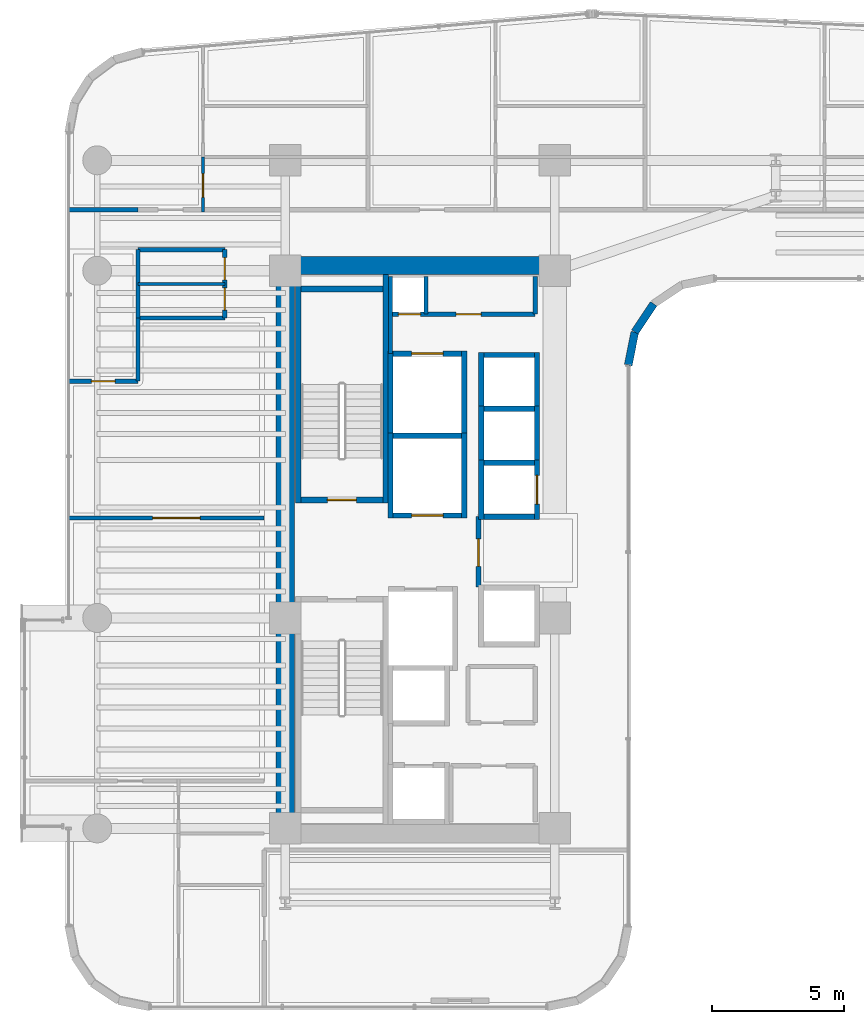
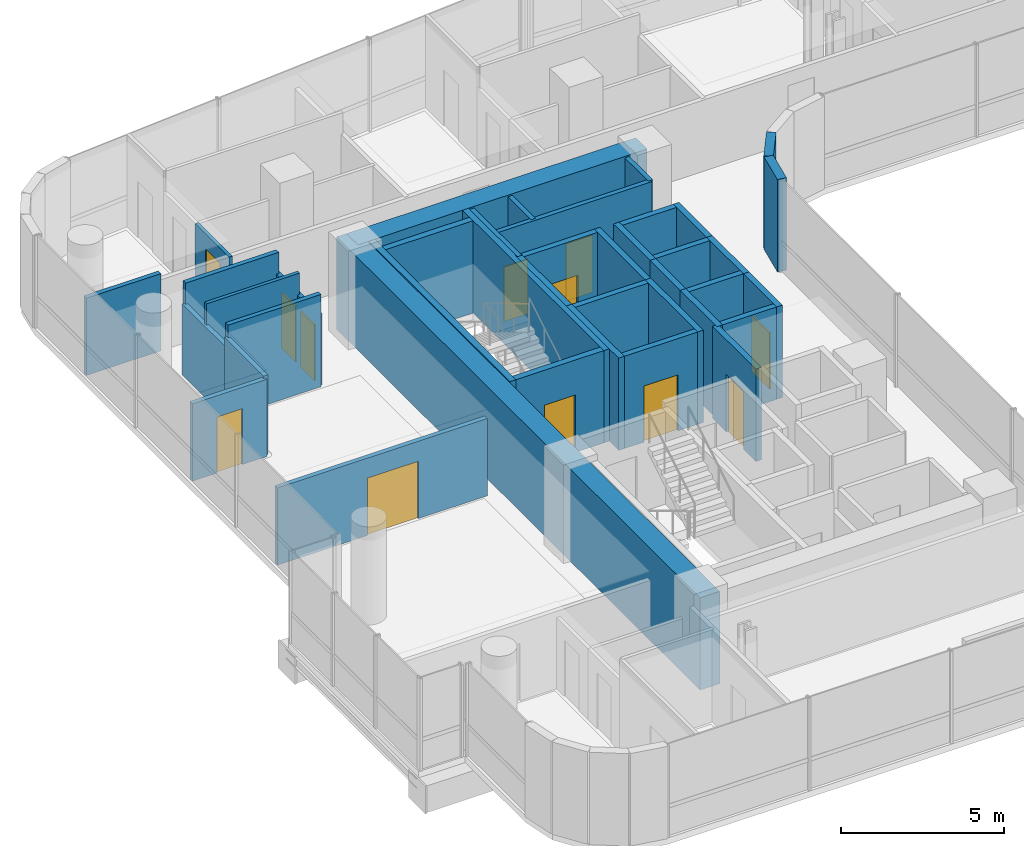
# One storey, part 29 of 37: 40 walls, 12 doors, 12 openings.
"""IFC4 building model written with IfcOpenShell, lengths in metres."""

import ifcopenshell
import ifcopenshell.guid

model = None  # the IFC model being written
_history = None  # IfcOwnerHistory: only IFC2X3 demands one
_inside = {}  # id of a spatial element -> (the spatial element, [elements in it])
_under = {}  # id of a project, library or spatial element -> (it, [spatial elements below it])
_declared = {}  # id of a project -> (the project, [libraries it declares])
_typed = {}  # id of a type object -> (the type object, [elements of that type])
_made_of = {}  # id of a material, layer set ... -> (it, [elements and type objects made of it])


def new_model(schema):
    """Start an empty IFC model of exactly this schema.

    Asked for "IFC4X3", IfcOpenShell would pick the latest addendum, in which some entities
    have other attributes; the version numbers below select the first issue.
    IFC2X3 requires an IfcOwnerHistory on every rooted entity: one is made here for all.
    """
    global model, _history
    if schema == "IFC4X3":
        model = ifcopenshell.file(schema_version=(4, 3, 0, 0))
    else:
        model = ifcopenshell.file(schema=schema)
    _inside.clear()
    _under.clear()
    _declared.clear()
    _typed.clear()
    _made_of.clear()
    _history = None
    if model.schema == "IFC2X3":
        org = make("IfcOrganization", Name="unknown")
        user = make(
            "IfcPersonAndOrganization",
            ThePerson=make("IfcPerson", FamilyName="unknown"),
            TheOrganization=org,
        )
        app = make(
            "IfcApplication",
            ApplicationDeveloper=org,
            Version="unknown",
            ApplicationFullName="unknown",
            ApplicationIdentifier="unknown",
        )
        _history = make(
            "IfcOwnerHistory",
            OwningUser=user,
            OwningApplication=app,
            ChangeAction="ADDED",
            CreationDate=0,
        )
    return model


def make(cls, **values):
    """One entity of the class cls with the attributes given. An attribute that is None is left unset."""
    return model.create_entity(
        cls, **{name: value for name, value in values.items() if value is not None}
    )


def rooted(cls, **values):
    """An entity with a GlobalId (a new one), such as an element, a storey or a relation."""
    return make(cls, GlobalId=ifcopenshell.guid.new(), OwnerHistory=_history, **values)


def si_unit(unit_type, name, prefix=None):
    """IfcSIUnit, for example si_unit("LENGTHUNIT", "METRE", prefix="MILLI")."""
    return make("IfcSIUnit", UnitType=unit_type, Prefix=prefix, Name=name)


def assignment(units):
    """IfcUnitAssignment: the units of a project."""
    return None if units is None else make("IfcUnitAssignment", Units=units)


def point(xyz):
    """IfcCartesianPoint."""
    return None if xyz is None else make("IfcCartesianPoint", Coordinates=xyz)


def direction(xyz):
    """IfcDirection."""
    return None if xyz is None else make("IfcDirection", DirectionRatios=xyz)


def frame(location, z_axis=None, x_axis=None):
    """IfcAxis2Placement3D, a coordinate frame: its origin and axes. An axis left out is left unset."""
    return make(
        "IfcAxis2Placement3D",
        Location=point(location),
        Axis=direction(z_axis),
        RefDirection=direction(x_axis),
    )


def frame_2d(location, x_axis=None):
    """IfcAxis2Placement2D, a coordinate frame in the plane: its origin and x axis."""
    return make(
        "IfcAxis2Placement2D", Location=point(location), RefDirection=direction(x_axis)
    )


def origin():
    """The frame at (0, 0, 0) with its axes left unset."""
    return frame((0.0, 0.0, 0.0))


def place(relative_to, where):
    """IfcLocalPlacement: puts the frame where relative to a parent placement (None: the world)."""
    return make(
        "IfcLocalPlacement", PlacementRelTo=relative_to, RelativePlacement=where
    )


def context(
    kind, dimensions, precision=None, world=None, true_north=None, identifier=None
):
    """IfcGeometricRepresentationContext, for example the 3D "Model" context."""
    return make(
        "IfcGeometricRepresentationContext",
        ContextIdentifier=identifier,
        ContextType=kind,
        CoordinateSpaceDimension=dimensions,
        Precision=precision,
        WorldCoordinateSystem=world,
        TrueNorth=true_north,
    )


def subcontext(parent, identifier, kind, view, scale=None):
    """IfcGeometricRepresentationSubContext, for example "Body" below "Model"."""
    return make(
        "IfcGeometricRepresentationSubContext",
        ContextIdentifier=identifier,
        ContextType=kind,
        ParentContext=parent,
        TargetScale=scale,
        TargetView=view,
    )


def project(units=None, contexts=None):
    """IfcProject with its units and contexts."""
    return rooted(
        "IfcProject",
        Name="project",
        RepresentationContexts=contexts,
        UnitsInContext=assignment(units),
    )


def spatial(cls, under=None, at=None, **own):
    """A site, building, storey or space (cls), placed at a placement, below another one or the project."""
    s = rooted(cls, ObjectPlacement=at, **own)
    if under is not None:
        _under.setdefault(under.id(), (under, []))[1].append(s)
    return s


def profile(cls, at=None, kind="AREA", **sizes):
    """A parametric profile (cls). Its sizes go by their IFC names, for example OverallWidth=200.0."""
    return make(cls, ProfileType=kind, Position=at, **sizes)


def rectangle(**sizes):
    """IfcRectangleProfileDef."""
    return profile("IfcRectangleProfileDef", **sizes)


def extrude(swept, where, along, depth):
    """IfcExtrudedAreaSolid: the profile swept, set in the frame where, extruded along a direction by depth."""
    return make(
        "IfcExtrudedAreaSolid",
        SweptArea=swept,
        Position=where,
        ExtrudedDirection=direction(along),
        Depth=depth,
    )


def shape(context_of_items, identifier, shape_type, items):
    """IfcShapeRepresentation: the items that make up one representation, for example the "Body"."""
    return make(
        "IfcShapeRepresentation",
        ContextOfItems=context_of_items,
        RepresentationIdentifier=identifier,
        RepresentationType=shape_type,
        Items=items,
    )


def material(Name=None, Category=None):
    """IfcMaterial."""
    return make("IfcMaterial", Name=Name, Category=Category)


def layer(
    of_material, thickness, ventilated=None, Name=None, Category=None, Priority=None
):
    """IfcMaterialLayer: one layer of a wall or slab, of a material (None: an air gap)."""
    return make(
        "IfcMaterialLayer",
        Material=of_material,
        LayerThickness=thickness,
        IsVentilated=ventilated,
        Name=Name,
        Category=Category,
        Priority=Priority,
    )


def layer_set(layers, Name=None):
    """IfcMaterialLayerSet."""
    return make("IfcMaterialLayerSet", MaterialLayers=layers, LayerSetName=Name)


def made_of(thing, what):
    """Note that an element or type object is made of a material, layer set ...; save() writes the relation."""
    if what is not None:
        _made_of.setdefault(what.id(), (what, []))[1].append(thing)
    return thing


def type_object(cls, material=None, **own):
    """A type object (cls), such as IfcWallType, which elements share."""
    return made_of(rooted(cls, **own), material)


def element(
    cls,
    number,
    at=None,
    inside=None,
    cuts=None,
    type_object=None,
    material=None,
    context=None,
    identifier="Body",
    shape_type=None,
    held_by="IfcProductDefinitionShape",
    body=None,
    shapes=None,
    **own,
):
    """One element of the class cls, such as IfcWall. Its Tag is "e" and its number.

    at: its placement. inside: the storey or other place that contains it. cuts: it is an
    opening in that element (IfcRelVoidsElement). A single representation is given by context,
    identifier, shape_type and body (its items); several are given by shapes. held_by: the class
    of the entity that holds the representations. save() writes the other relations.
    """
    e = rooted(cls, Tag="e%d" % number, ObjectPlacement=at, **own)
    if body is not None:
        shapes = [shape(context, identifier, shape_type, body)]
    if shapes is not None:
        e.Representation = make(held_by, Representations=shapes)
    if inside is not None:
        _inside.setdefault(inside.id(), (inside, []))[1].append(e)
    if cuts is not None:
        rooted(
            "IfcRelVoidsElement", RelatingBuildingElement=cuts, RelatedOpeningElement=e
        )
    if type_object is not None:
        _typed.setdefault(type_object.id(), (type_object, []))[1].append(e)
    return made_of(e, material)


def fill(opening, filler):
    """IfcRelFillsElement: the door or window that sits in an opening."""
    return rooted(
        "IfcRelFillsElement",
        RelatingOpeningElement=opening,
        RelatedBuildingElement=filler,
    )


def aggregate(whole, parts):
    """IfcRelAggregates: a whole, such as a stair, and the parts it consists of."""
    return rooted("IfcRelAggregates", RelatingObject=whole, RelatedObjects=parts)


def save(model, path):
    """Write the relations noted so far, then the file.

    IfcRelAggregates (storeys below a building ...), IfcRelContainedInSpatialStructure (elements
    in a storey), IfcRelDefinesByType, IfcRelAssociatesMaterial and IfcRelDeclares: one each for
    every whole, place, type object, material and project.
    """
    for whole, parts in _under.values():
        aggregate(whole, parts)
    for where, things in _inside.values():
        rooted(
            "IfcRelContainedInSpatialStructure",
            RelatedElements=things,
            RelatingStructure=where,
        )
    for kind, things in _typed.values():
        rooted("IfcRelDefinesByType", RelatedObjects=things, RelatingType=kind)
    for what, things in _made_of.values():
        rooted("IfcRelAssociatesMaterial", RelatedObjects=things, RelatingMaterial=what)
    for by, libraries in _declared.values():
        rooted("IfcRelDeclares", RelatingContext=by, RelatedDefinitions=libraries)
    model.write(path)


model = new_model("IFC4")

# Units and contexts
model_context = context("Model", 3, precision=1e-05, world=origin(), true_north=direction((0.0, 1.0)))
body_context = subcontext(model_context, "Body", "Model", "MODEL_VIEW")
ifc_project = project(units=[si_unit("LENGTHUNIT", "METRE"), si_unit("AREAUNIT", "SQUARE_METRE"), si_unit("VOLUMEUNIT", "CUBIC_METRE"), si_unit("PLANEANGLEUNIT", "RADIAN"), si_unit("MASSUNIT", "GRAM", prefix="KILO")], contexts=[model_context])

# Site, building, storey
site_placement = place(None, origin())
site = spatial("IfcSite", under=ifc_project, at=site_placement, CompositionType="ELEMENT")
building_placement = place(site_placement, origin())
building = spatial("IfcBuilding", under=site, at=building_placement, Name="Valdorenza Pilgrim Sanctuary Tower", CompositionType="ELEMENT")
storey_placement = place(building_placement, frame((0.0, 0.0, 127.89990234375)))
storey = spatial("IfcBuildingStorey", under=building, at=storey_placement, Name="L32", CompositionType="ELEMENT", Elevation=127.89990234375)

# Wall
ifc_material_1 = material(Name="Acoustic twin-stud gypsum partition", Category="gypsum")
ifc_layer_1 = layer(ifc_material_1, 0.159912109375, Name="Acoustic twin-stud gypsum partition")
ifc_layer_set_1 = layer_set([ifc_layer_1], Name="Acoustic twin-stud gypsum partition")
wall_type_1 = type_object("IfcWallType", Name="WAL-COR-160", PredefinedType="PARTITIONING", material=ifc_layer_set_1)
wall_1_placement = place(storey_placement, frame((-18.64990234375, 7.449951171875, 0.0), z_axis=(0.0, 0.0, 1.0), x_axis=(0.0, 1.0, 0.0)))
element("IfcWall", 1, at=wall_1_placement, inside=storey, type_object=wall_type_1, Name="L32 Core A North Service West Wall", PredefinedType="PARTITIONING", context=body_context, shape_type="SweptSolid", body=[
    extrude(rectangle(XDim=2.929931640625, YDim=0.159912109375, at=frame_2d((1.46484375, 0.0))), origin(), (0.0, 0.0, 1.0), 3.460205078125),
])

# Wall, openings, doors
wall_2_placement = place(storey_placement, frame((-18.64990234375, 8.949951171875, 0.0), z_axis=(0.0, 0.0, 1.0), x_axis=(1.0, 0.0, 0.0)))
wall_2 = element("IfcWall", 2, at=wall_2_placement, inside=storey, type_object=wall_type_1, Name="L32 Core A North Service South Wall", PredefinedType="PARTITIONING", context=body_context, shape_type="SweptSolid", body=[
    extrude(rectangle(XDim=5.5, YDim=0.159912109375, at=frame_2d((2.75, 0.0))), origin(), (0.0, 0.0, 1.0), 3.460205078125),
])
opening_1_placement = place(wall_2_placement, frame((0.300048828125, 0.0, 0.0)))
opening_1 = element("IfcOpeningElement", 3, at=opening_1_placement, cuts=wall_2, Name="Opening DR-RS1", PredefinedType="OPENING", context=body_context, shape_type="SweptSolid", body=[
    extrude(rectangle(XDim=0.85009765625, YDim=2.050048828125, at=frame_2d((0.425048828125, 1.02490234375))), frame((0.0, 0.0947265625, 0.0), z_axis=(0.0, -1.0, 0.0), x_axis=(1.0, 0.0, 0.0)), (0.0, 0.0, 1.0), 0.189697265625),
])
opening_2_placement = place(wall_2_placement, frame((2.5, 0.0, 0.0)))
opening_2 = element("IfcOpeningElement", 4, at=opening_2_placement, cuts=wall_2, Name="Opening DR-UN1", PredefinedType="OPENING", context=body_context, shape_type="SweptSolid", body=[
    extrude(rectangle(XDim=0.949951171875, YDim=2.14990234375, at=frame_2d((0.47509765625, 1.074951171875))), frame((0.0, 0.0947265625, 0.0), z_axis=(0.0, -1.0, 0.0), x_axis=(1.0, 0.0, 0.0)), (0.0, 0.0, 1.0), 0.189697265625),
])
ifc_material_2 = material(Name="Painted galvanized steel", Category="steel")
door_type_1 = type_object("IfcDoorType", Name="DR-RSR-850", OperationType="NOTDEFINED", PredefinedType="DOOR", material=ifc_material_2)
door_1_placement = place(opening_1_placement, origin())
door_1 = element("IfcDoor", 5, at=door_1_placement, inside=storey, type_object=door_type_1, Name="L32 Core Electrical and Telecom Riser Door", OperationType="SINGLE_SWING_LEFT", OverallHeight=2.050048828125, OverallWidth=0.85009765625, PredefinedType="DOOR", context=body_context, shape_type="SweptSolid", body=[
    extrude(rectangle(XDim=0.85009765625, YDim=2.050048828125, at=frame_2d((0.425048828125, 1.02490234375))), frame((0.0, 0.02490234375, 0.0), z_axis=(0.0, -1.0, 0.0), x_axis=(1.0, 0.0, 0.0)), (0.0, 0.0, 1.0), 0.050048828125),
])
fill(opening_1, door_1)
ifc_material_3 = material(Name="Solid-core European oak timber", Category="wood")
door_type_2 = type_object("IfcDoorType", Name="DR-UNIT-950", OperationType="NOTDEFINED", PredefinedType="DOOR", material=ifc_material_3)
door_2_placement = place(opening_2_placement, origin())
door_2 = element("IfcDoor", 6, at=door_2_placement, inside=storey, type_object=door_type_2, Name="L32 Housekeeping and Clean Linen Room Door", OperationType="SINGLE_SWING_RIGHT", OverallHeight=2.14990234375, OverallWidth=0.949951171875, PredefinedType="DOOR", context=body_context, shape_type="SweptSolid", body=[
    extrude(rectangle(XDim=0.949951171875, YDim=2.14990234375, at=frame_2d((0.47509765625, 1.074951171875))), frame((0.0, 0.02490234375, 0.0), z_axis=(0.0, -1.0, 0.0), x_axis=(1.0, 0.0, 0.0)), (0.0, 0.0, 1.0), 0.050048828125),
])
fill(opening_2, door_2)

# Walls
for number, where, z_axis, x_axis, name in (
    (7, (-13.14990234375, 8.949951171875, 0.0), (0.0, 0.0, 1.0), (0.0, 1.0, 0.0), "L32 Core A North Service East Wall"),
    (8, (-17.300048828125, 8.949951171875, 0.0), (0.0, 0.0, 1.0), (0.0, 1.0, 0.0), "L32 Core Electrical Riser Wall"),
):
    element("IfcWall", number, at=place(storey_placement, frame(where, z_axis=z_axis, x_axis=x_axis)), inside=storey, type_object=wall_type_1, Name=name, PredefinedType="PARTITIONING", context=body_context, shape_type="SweptSolid", body=[
        extrude(rectangle(XDim=1.429931640625, YDim=0.159912109375, at=frame_2d((0.71484375, 0.0))), origin(), (0.0, 0.0, 1.0), 3.460205078125),
    ])
wall_3_placement = place(storey_placement, frame((-28.25, 8.800048828125, 0.0), z_axis=(0.0, 0.0, 1.0), x_axis=(0.0, 1.0, 0.0)))
element("IfcWall", 9, at=wall_3_placement, inside=storey, type_object=wall_type_1, Name="L32 Washroom West Wall", PredefinedType="PARTITIONING", context=body_context, shape_type="SweptSolid", body=[
    extrude(rectangle(XDim=2.599853515625, YDim=0.159912109375, at=frame_2d((1.2998046875, 0.0))), origin(), (0.0, 0.0, 1.0), 2.666015625),
])

# Wall, openings, doors
wall_4_placement = place(storey_placement, frame((-24.949951171875, 8.800048828125, 0.0), z_axis=(0.0, 0.0, 1.0), x_axis=(0.0, 1.0, 0.0)))
wall_4 = element("IfcWall", 10, at=wall_4_placement, inside=storey, type_object=wall_type_1, Name="L32 Washroom East Wall", PredefinedType="PARTITIONING", context=body_context, shape_type="SweptSolid", body=[
    extrude(rectangle(XDim=2.599853515625, YDim=0.159912109375, at=frame_2d((1.2998046875, 0.0))), origin(), (0.0, 0.0, 1.0), 2.666015625),
])
opening_3_placement = place(wall_4_placement, frame((0.300048828125, 0.0, 0.0)))
opening_3 = element("IfcOpeningElement", 11, at=opening_3_placement, cuts=wall_4, Name="Opening DR-WC1", PredefinedType="OPENING", context=body_context, shape_type="SweptSolid", body=[
    extrude(rectangle(XDim=0.85009765625, YDim=2.10009765625, at=frame_2d((0.425048828125, 1.050048828125))), frame((0.0, 0.0947265625, 0.0), z_axis=(0.0, -1.0, 0.0), x_axis=(1.0, 0.0, 0.0)), (0.0, 0.0, 1.0), 0.189697265625),
])
opening_4_placement = place(wall_4_placement, frame((1.449951171875, 0.0, 0.0)))
opening_4 = element("IfcOpeningElement", 12, at=opening_4_placement, cuts=wall_4, Name="Opening DR-WC1", PredefinedType="OPENING", context=body_context, shape_type="SweptSolid", body=[
    extrude(rectangle(XDim=0.85009765625, YDim=2.10009765625, at=frame_2d((0.425048828125, 1.050048828125))), frame((0.0, 0.0947265625, 0.0), z_axis=(0.0, -1.0, 0.0), x_axis=(1.0, 0.0, 0.0)), (0.0, 0.0, 1.0), 0.189697265625),
])
ifc_material_4 = material(Name="Moisture-resistant lacquered timber", Category="wood")
door_type_3 = type_object("IfcDoorType", Name="DR-BATH-850", OperationType="NOTDEFINED", PredefinedType="DOOR", material=ifc_material_4)
door_3_placement = place(opening_3_placement, origin())
door_3 = element("IfcDoor", 13, at=door_3_placement, inside=storey, type_object=door_type_3, Name="L32 Accessible Washroom Door", OperationType="SINGLE_SWING_RIGHT", OverallHeight=2.10009765625, OverallWidth=0.85009765625, PredefinedType="DOOR", context=body_context, shape_type="SweptSolid", body=[
    extrude(rectangle(XDim=0.85009765625, YDim=2.10009765625, at=frame_2d((0.425048828125, 1.050048828125))), frame((0.0, 0.02490234375, 0.0), z_axis=(0.0, -1.0, 0.0), x_axis=(1.0, 0.0, 0.0)), (0.0, 0.0, 1.0), 0.050048828125),
])
fill(opening_3, door_3)
door_4_placement = place(opening_4_placement, origin())
door_4 = element("IfcDoor", 14, at=door_4_placement, inside=storey, type_object=door_type_3, Name="L32 Public Washroom Door", OperationType="SINGLE_SWING_LEFT", OverallHeight=2.10009765625, OverallWidth=0.85009765625, PredefinedType="DOOR", context=body_context, shape_type="SweptSolid", body=[
    extrude(rectangle(XDim=0.85009765625, YDim=2.10009765625, at=frame_2d((0.425048828125, 1.050048828125))), frame((0.0, 0.02490234375, 0.0), z_axis=(0.0, -1.0, 0.0), x_axis=(1.0, 0.0, 0.0)), (0.0, 0.0, 1.0), 0.050048828125),
])
fill(opening_4, door_4)

# Walls
for number, where, z_axis, x_axis, name in (
    (15, (-28.25, 8.800048828125, 0.0), (0.0, 0.0, 1.0), (1.0, 0.0, 0.0), "L32 Washroom South Wall"),
    (16, (-28.25, 11.39990234375, 0.0), (0.0, 0.0, 1.0), (1.0, 0.0, 0.0), "L32 Washroom North Wall"),
):
    element("IfcWall", number, at=place(storey_placement, frame(where, z_axis=z_axis, x_axis=x_axis)), inside=storey, type_object=wall_type_1, Name=name, PredefinedType="PARTITIONING", context=body_context, shape_type="SweptSolid", body=[
        extrude(rectangle(XDim=3.300048828125, YDim=0.159912109375, at=frame_2d((1.64990234375, 0.0))), origin(), (0.0, 0.0, 1.0), 3.460205078125),
    ])

# Wall, opening, door
wall_5_placement = place(storey_placement, frame((-30.889892578125, 6.39990234375, 0.0), z_axis=(0.0, 0.0, 1.0), x_axis=(1.0, 0.0, 0.0)))
wall_5 = element("IfcWall", 17, at=wall_5_placement, inside=storey, type_object=wall_type_1, Name="L32 Cloister North Room Wall", PredefinedType="PARTITIONING", context=body_context, shape_type="SweptSolid", body=[
    extrude(rectangle(XDim=2.639892578125, YDim=0.159912109375, at=frame_2d((1.31982421875, 0.0))), origin(), (0.0, 0.0, 1.0), 2.89599609375),
])
opening_5_placement = place(wall_5_placement, frame((0.8701171875, 0.0, 0.0)))
opening_5 = element("IfcOpeningElement", 18, at=opening_5_placement, cuts=wall_5, Name="Opening DR-RM1", PredefinedType="OPENING", context=body_context, shape_type="SweptSolid", body=[
    extrude(rectangle(XDim=0.89990234375, YDim=2.10009765625, at=frame_2d((0.449951171875, 1.050048828125))), frame((0.0, 0.0947265625, 0.0), z_axis=(0.0, -1.0, 0.0), x_axis=(1.0, 0.0, 0.0)), (0.0, 0.0, 1.0), 0.189697265625),
])
door_type_4 = type_object("IfcDoorType", Name="DR-ROOM-900", OperationType="NOTDEFINED", PredefinedType="DOOR", material=ifc_material_3)
door_5_placement = place(opening_5_placement, origin())
door_5 = element("IfcDoor", 19, at=door_5_placement, inside=storey, type_object=door_type_4, Name="L32 Pilgrim Scholar Office L32-1 Door", OperationType="SINGLE_SWING_RIGHT", OverallHeight=2.10009765625, OverallWidth=0.89990234375, PredefinedType="DOOR", context=body_context, shape_type="SweptSolid", body=[
    extrude(rectangle(XDim=0.89990234375, YDim=2.10009765625, at=frame_2d((0.449951171875, 1.050048828125))), frame((0.0, 0.02490234375, 0.0), z_axis=(0.0, -1.0, 0.0), x_axis=(1.0, 0.0, 0.0)), (0.0, 0.0, 1.0), 0.050048828125),
])
fill(opening_5, door_5)

# Wall
wall_6_placement = place(storey_placement, frame((-28.25, 6.39990234375, 0.0), z_axis=(0.0, 0.0, 1.0), x_axis=(0.0, 1.0, 0.0)))
element("IfcWall", 20, at=wall_6_placement, inside=storey, type_object=wall_type_1, Name="L32 Cloister NE Closure", PredefinedType="PARTITIONING", context=body_context, shape_type="SweptSolid", body=[
    extrude(rectangle(XDim=2.400146484375, YDim=0.159912109375, at=frame_2d((1.2001953125, 0.0))), origin(), (0.0, 0.0, 1.0), 2.988037109375),
])

# Wall, opening, door
wall_7_placement = place(storey_placement, frame((-30.889892578125, 1.199951171875, 0.0), z_axis=(0.0, 0.0, 1.0), x_axis=(1.0, 0.0, 0.0)))
wall_7 = element("IfcWall", 21, at=wall_7_placement, inside=storey, type_object=wall_type_1, Name="L32 Cloister Mid Wall", PredefinedType="PARTITIONING", context=body_context, shape_type="SweptSolid", body=[
    extrude(rectangle(XDim=7.43994140625, YDim=0.159912109375, at=frame_2d((3.719970703125, 0.0))), origin(), (0.0, 0.0, 1.0), 2.89599609375),
])
opening_6_placement = place(wall_7_placement, frame((3.199951171875, 0.0, 0.0)))
opening_6 = element("IfcOpeningElement", 22, at=opening_6_placement, cuts=wall_7, Name="Opening DR-HL1", PredefinedType="OPENING", context=body_context, shape_type="SweptSolid", body=[
    extrude(rectangle(XDim=1.800048828125, YDim=2.14990234375, at=frame_2d((0.89990234375, 1.074951171875))), frame((0.0, 0.0947265625, 0.0), z_axis=(0.0, -1.0, 0.0), x_axis=(1.0, 0.0, 0.0)), (0.0, 0.0, 1.0), 0.189697265625),
])
ifc_material_5 = material(Name="Acoustic oak and vision-glass double door", Category="glass")
door_type_5 = type_object("IfcDoorType", Name="DR-HALL-1800", OperationType="NOTDEFINED", PredefinedType="DOOR", material=ifc_material_5)
door_6_placement = place(opening_6_placement, frame((1.800048828125, 0.0, 0.0), z_axis=(0.0, 0.0, 1.0), x_axis=(-1.0, 0.0, 0.0)))
door_6 = element("IfcDoor", 23, at=door_6_placement, inside=storey, type_object=door_type_5, Name="L32 Cloister Mid Double Door", OperationType="DOUBLE_DOOR_SINGLE_SWING", OverallHeight=2.14990234375, OverallWidth=1.800048828125, PredefinedType="DOOR", context=body_context, shape_type="SweptSolid", body=[
    extrude(rectangle(XDim=1.800048828125, YDim=2.14990234375, at=frame_2d((0.89990234375, 1.074951171875))), frame((0.0, 0.02490234375, 0.0), z_axis=(0.0, -1.0, 0.0), x_axis=(1.0, 0.0, 0.0)), (0.0, 0.0, 1.0), 0.050048828125),
])
fill(opening_6, door_6)

# Walls
wall_8_placement = place(storey_placement, frame((-30.889892578125, 12.919921875, 0.0), z_axis=(0.0, 0.0, 1.0), x_axis=(1.0, 0.0, 0.0)))
element("IfcWall", 24, at=wall_8_placement, inside=storey, type_object=wall_type_1, Name="L32 Cloister North Solid Partition", PredefinedType="PARTITIONING", context=body_context, shape_type="SweptSolid", body=[
    extrude(rectangle(XDim=2.639892578125, YDim=0.159912109375, at=frame_2d((1.31982421875, 0.0))), origin(), (0.0, 0.0, 1.0), 2.89599609375),
])
ifc_material_6 = material(Name="Concrete C60/75", Category="concrete")
ifc_layer_2 = layer(ifc_material_6, 0.699951171875, Name="Concrete C60/75")
ifc_layer_set_2 = layer_set([ifc_layer_2], Name="Concrete C60/75")
wall_type_2 = type_object("IfcWallType", Name="WAL-COR-700", PredefinedType="SHEAR", material=ifc_layer_set_2)
wall_9_placement = place(storey_placement, frame((-22.64990234375, -11.14990234375, 0.0), z_axis=(0.0, 0.0, 1.0), x_axis=(0.0, 1.0, 0.0)))
element("IfcWall", 25, at=wall_9_placement, inside=storey, type_object=wall_type_2, Name="L32 Split Core A Shear Wall W", PredefinedType="SHEAR", context=body_context, shape_type="SweptSolid", body=[
    extrude(rectangle(XDim=22.2998046875, YDim=0.699951171875, at=frame_2d((11.14990234375, 0.0))), origin(), (0.0, 0.0, 1.0), 3.460205078125),
])
wall_10_placement = place(storey_placement, frame((-22.64990234375, 10.800048828125, 0.0), z_axis=(0.0, 0.0, 1.0), x_axis=(1.0, 0.0, 0.0)))
element("IfcWall", 26, at=wall_10_placement, inside=storey, type_object=wall_type_2, Name="L32 Split Core A Shear Wall N", PredefinedType="SHEAR", context=body_context, shape_type="SweptSolid", body=[
    extrude(rectangle(XDim=10.25, YDim=0.699951171875, at=frame_2d((5.125, 0.0))), origin(), (0.0, 0.0, 1.0), 3.460205078125),
])
ifc_material_7 = material(Name="Honed travertine limestone", Category="masonry")
ifc_layer_3 = layer(ifc_material_7, 0.300048828125, Name="Honed travertine limestone")
ifc_layer_set_3 = layer_set([ifc_layer_3], Name="Honed travertine limestone")
wall_type_3 = type_object("IfcWallType", Name="WAL-EXT-300", PredefinedType="SOLIDWALL", material=ifc_layer_set_3)
wall_11_placement = place(storey_placement, frame((-8.64208984375, 9.342041015625, 0.0), z_axis=(0.0, 0.0, 1.0), x_axis=(-0.555615398575, -0.831439431869, 0.0)))
element("IfcWall", 27, at=wall_11_placement, inside=storey, type_object=wall_type_3, Name="L32 Rounded Wind-Corner Stone Pier 39", PredefinedType="SOLIDWALL", context=body_context, shape_type="SweptSolid", body=[
    extrude(rectangle(XDim=1.292236328125, YDim=0.300048828125, at=frame_2d((0.64599609375, 0.0))), origin(), (0.0, 0.0, 1.0), 3.460205078125),
])
wall_12_placement = place(storey_placement, frame((-9.360107421875, 8.267578125, 0.0), z_axis=(0.0, 0.0, 1.0), x_axis=(-0.195090163074, -0.980785312019, 0.0)))
element("IfcWall", 28, at=wall_12_placement, inside=storey, type_object=wall_type_3, Name="L32 Rounded Wind-Corner Stone Pier 40", PredefinedType="SOLIDWALL", context=body_context, shape_type="SweptSolid", body=[
    extrude(rectangle(XDim=1.281494140625, YDim=0.300048828125, at=frame_2d((0.640625, 0.0))), origin(), (0.0, 0.0, 1.0), 3.460205078125),
])

# Wall, opening, door
ifc_material_8 = material(Name="Gypsum shaftwall partition", Category="gypsum")
ifc_layer_4 = layer(ifc_material_8, 0.199951171875, Name="Gypsum shaftwall partition")
ifc_layer_set_4 = layer_set([ifc_layer_4], Name="Gypsum shaftwall partition")
wall_type_4 = type_object("IfcWallType", Name="WAL-FFL-200", PredefinedType="PARTITIONING", material=ifc_layer_set_4)
wall_13_placement = place(storey_placement, frame((-15.300048828125, -1.419921875, 0.0), z_axis=(0.0, 0.0, 1.0), x_axis=(0.0, 1.0, 0.0)))
wall_13 = element("IfcWall", 29, at=wall_13_placement, inside=storey, type_object=wall_type_4, Name="L32 Core A Firefighting Lobby East Wall", PredefinedType="PARTITIONING", context=body_context, shape_type="SweptSolid", body=[
    extrude(rectangle(XDim=2.669921875, YDim=0.199951171875, at=frame_2d((1.3349609375, 0.0))), origin(), (0.0, 0.0, 1.0), 3.460205078125),
])
opening_7_placement = place(wall_13_placement, frame((0.780029296875, 0.0, 0.0)))
opening_7 = element("IfcOpeningElement", 30, at=opening_7_placement, cuts=wall_13, Name="Opening DR-FL1", PredefinedType="OPENING", context=body_context, shape_type="SweptSolid", body=[
    extrude(rectangle(XDim=1.050048828125, YDim=2.14990234375, at=frame_2d((0.52490234375, 1.074951171875))), frame((0.0, 0.11474609375, 0.0), z_axis=(0.0, -1.0, 0.0), x_axis=(1.0, 0.0, 0.0)), (0.0, 0.0, 1.0), 0.229736328125),
])
door_type_6 = type_object("IfcDoorType", Name="DR-FFL-1050", OperationType="NOTDEFINED", PredefinedType="DOOR", material=ifc_material_2)
door_7_placement = place(opening_7_placement, origin())
door_7 = element("IfcDoor", 31, at=door_7_placement, inside=storey, type_object=door_type_6, Name="L32 Core A Firefighting Lobby Door", OperationType="SINGLE_SWING_RIGHT", OverallHeight=2.14990234375, OverallWidth=1.050048828125, PredefinedType="DOOR", context=body_context, shape_type="SweptSolid", body=[
    extrude(rectangle(XDim=1.050048828125, YDim=2.14990234375, at=frame_2d((0.52490234375, 1.074951171875))), frame((0.0, 0.02490234375, 0.0), z_axis=(0.0, -1.0, 0.0), x_axis=(1.0, 0.0, 0.0)), (0.0, 0.0, 1.0), 0.050048828125),
])
fill(opening_7, door_7)

# Wall
ifc_material_9 = material(Name="Moisture-resistant gypsum partition", Category="gypsum")
ifc_layer_5 = layer(ifc_material_9, 0.1201171875, Name="Moisture-resistant gypsum partition")
ifc_layer_set_5 = layer_set([ifc_layer_5], Name="Moisture-resistant gypsum partition")
wall_type_5 = type_object("IfcWallType", Name="WAL-INT-120", PredefinedType="PARTITIONING", material=ifc_layer_set_5)
wall_14_placement = place(storey_placement, frame((-28.25, 10.10009765625, 0.0), z_axis=(0.0, 0.0, 1.0), x_axis=(1.0, 0.0, 0.0)))
element("IfcWall", 32, at=wall_14_placement, inside=storey, type_object=wall_type_5, Name="L32 Washroom Divider Wall", PredefinedType="PARTITIONING", context=body_context, shape_type="SweptSolid", body=[
    extrude(rectangle(XDim=3.300048828125, YDim=0.1201171875, at=frame_2d((1.64990234375, 0.0))), origin(), (0.0, 0.0, 1.0), 3.460205078125),
])

# Wall, opening, door
wall_15_placement = place(storey_placement, frame((-25.77490234375, 12.840087890625, 0.0), z_axis=(0.0, 0.0, 1.0), x_axis=(0.0, 1.0, 0.0)))
wall_15 = element("IfcWall", 33, at=wall_15_placement, inside=storey, type_object=wall_type_5, Name="L32 North Sanctuary Apartment L32-N1 Kitchen Door Wall", PredefinedType="PARTITIONING", context=body_context, shape_type="SweptSolid", body=[
    extrude(rectangle(XDim=2.079833984375, YDim=0.1201171875, at=frame_2d((1.0400390625, 0.0))), origin(), (0.0, 0.0, 1.0), 2.666015625),
])
opening_8_placement = place(wall_15_placement, frame((0.550048828125, 0.0, 0.0)))
opening_8 = element("IfcOpeningElement", 34, at=opening_8_placement, cuts=wall_15, Name="Opening DR-RM1", PredefinedType="OPENING", context=body_context, shape_type="SweptSolid", body=[
    extrude(rectangle(XDim=0.89990234375, YDim=2.10009765625, at=frame_2d((0.449951171875, 1.050048828125))), frame((0.0, 0.074951171875, 0.0), z_axis=(0.0, -1.0, 0.0), x_axis=(1.0, 0.0, 0.0)), (0.0, 0.0, 1.0), 0.14990234375),
])
door_8_placement = place(opening_8_placement, origin())
door_8 = element("IfcDoor", 35, at=door_8_placement, inside=storey, type_object=door_type_4, Name="L32 North Sanctuary Apartment L32-N1 Kitchen Door", OperationType="SINGLE_SWING_LEFT", OverallHeight=2.10009765625, OverallWidth=0.89990234375, PredefinedType="DOOR", context=body_context, shape_type="SweptSolid", body=[
    extrude(rectangle(XDim=0.89990234375, YDim=2.10009765625, at=frame_2d((0.449951171875, 1.050048828125))), frame((0.0, 0.02490234375, 0.0), z_axis=(0.0, -1.0, 0.0), x_axis=(1.0, 0.0, 0.0)), (0.0, 0.0, 1.0), 0.050048828125),
])
fill(opening_8, door_8)

# Walls
ifc_material_10 = material(Name="Autoclaved aerated concrete blockwork", Category="masonry")
ifc_layer_6 = layer(ifc_material_10, 0.199951171875, Name="Autoclaved aerated concrete blockwork")
ifc_layer_set_6 = layer_set([ifc_layer_6], Name="Autoclaved aerated concrete blockwork")
wall_type_6 = type_object("IfcWallType", Name="WAL-SHF-200", PredefinedType="MOVABLE", material=ifc_layer_set_6)
for number, where, z_axis, x_axis, name in (
    (36, (-18.64990234375, 1.199951171875, 0.0), (0.0, 0.0, 1.0), (0.0, 1.0, 0.0), "L32 Lift FFL-01 Hoistway Wall West"),
    (37, (-15.85009765625, 1.199951171875, 0.0), (0.0, 0.0, 1.0), (0.0, 1.0, 0.0), "L32 Lift FFL-01 Hoistway Wall East"),
):
    element("IfcWall", number, at=place(storey_placement, frame(where, z_axis=z_axis, x_axis=x_axis)), inside=storey, type_object=wall_type_6, Name=name, PredefinedType="MOVABLE", context=body_context, shape_type="SweptSolid", body=[
        extrude(rectangle(XDim=3.22509765625, YDim=0.199951171875, at=frame_2d((1.612548828125, 0.0))), origin(), (0.0, 0.0, 1.0), 3.460205078125),
    ])

# Wall, opening, door
wall_16_placement = place(storey_placement, frame((-18.550048828125, 1.300048828125, 0.0), z_axis=(0.0, 0.0, 1.0), x_axis=(1.0, 0.0, 0.0)))
wall_16 = element("IfcWall", 38, at=wall_16_placement, inside=storey, type_object=wall_type_6, Name="L32 Lift FFL-01 Hoistway Wall South", PredefinedType="MOVABLE", context=body_context, shape_type="SweptSolid", body=[
    extrude(rectangle(XDim=2.60009765625, YDim=0.199951171875, at=frame_2d((1.300048828125, 0.0))), origin(), (0.0, 0.0, 1.0), 3.460205078125),
])
opening_9_placement = place(wall_16_placement, frame((0.699951171875, 0.0, 0.0)))
opening_9 = element("IfcOpeningElement", 39, at=opening_9_placement, cuts=wall_16, Name="Opening LD-02", PredefinedType="OPENING", context=body_context, shape_type="SweptSolid", body=[
    extrude(rectangle(XDim=1.199951171875, YDim=2.10009765625, at=frame_2d((0.60009765625, 1.050048828125))), frame((0.0, 0.11474609375, 0.0), z_axis=(0.0, -1.0, 0.0), x_axis=(1.0, 0.0, 0.0)), (0.0, 0.0, 1.0), 0.229736328125),
])
ifc_material_11 = material(Name="Brushed stainless steel Grade 316", Category="steel")
door_type_7 = type_object("IfcDoorType", Name="DR-LFT-1200", OperationType="DOUBLE_DOOR_SLIDING", PredefinedType="DOOR", material=ifc_material_11)
door_9_placement = place(opening_9_placement, origin())
door_9 = element("IfcDoor", 40, at=door_9_placement, inside=storey, type_object=door_type_7, Name="L32 Lift FFL-01 Sliding Landing Door", OperationType="DOUBLE_DOOR_SLIDING", OverallHeight=2.10009765625, OverallWidth=1.199951171875, PredefinedType="DOOR", context=body_context, shape_type="SweptSolid", body=[
    extrude(rectangle(XDim=1.199951171875, YDim=2.10009765625, at=frame_2d((0.60009765625, 1.050048828125))), frame((0.0, 0.02490234375, 0.0), z_axis=(0.0, -1.0, 0.0), x_axis=(1.0, 0.0, 0.0)), (0.0, 0.0, 1.0), 0.050048828125),
])
fill(opening_9, door_9)

# Walls
wall_17_placement = place(storey_placement, frame((-18.550048828125, 4.324951171875, 0.0), z_axis=(0.0, 0.0, 1.0), x_axis=(1.0, 0.0, 0.0)))
element("IfcWall", 41, at=wall_17_placement, inside=storey, type_object=wall_type_6, Name="L32 Lift FFL-01 Hoistway Wall North", PredefinedType="MOVABLE", context=body_context, shape_type="SweptSolid", body=[
    extrude(rectangle(XDim=2.60009765625, YDim=0.199951171875, at=frame_2d((1.300048828125, 0.0))), origin(), (0.0, 0.0, 1.0), 3.460205078125),
])
for number, where, z_axis, x_axis, name in (
    (42, (-18.64990234375, 4.22509765625, 0.0), (0.0, 0.0, 1.0), (0.0, 1.0, 0.0), "L32 Lift SVL-01 Hoistway Wall West"),
    (43, (-15.85009765625, 4.22509765625, 0.0), (0.0, 0.0, 1.0), (0.0, 1.0, 0.0), "L32 Lift SVL-01 Hoistway Wall East"),
):
    element("IfcWall", number, at=place(storey_placement, frame(where, z_axis=z_axis, x_axis=x_axis)), inside=storey, type_object=wall_type_6, Name=name, PredefinedType="MOVABLE", context=body_context, shape_type="SweptSolid", body=[
        extrude(rectangle(XDim=3.324951171875, YDim=0.199951171875, at=frame_2d((1.66259765625, 0.0))), origin(), (0.0, 0.0, 1.0), 3.460205078125),
    ])

# Wall, opening, door
wall_18_placement = place(storey_placement, frame((-18.550048828125, 7.449951171875, 0.0), z_axis=(0.0, 0.0, 1.0), x_axis=(1.0, 0.0, 0.0)))
wall_18 = element("IfcWall", 44, at=wall_18_placement, inside=storey, type_object=wall_type_6, Name="L32 Lift SVL-01 Hoistway Wall North", PredefinedType="MOVABLE", context=body_context, shape_type="SweptSolid", body=[
    extrude(rectangle(XDim=2.60009765625, YDim=0.199951171875, at=frame_2d((1.300048828125, 0.0))), origin(), (0.0, 0.0, 1.0), 3.460205078125),
])
opening_10_placement = place(wall_18_placement, frame((0.699951171875, 0.0, 0.0)))
opening_10 = element("IfcOpeningElement", 45, at=opening_10_placement, cuts=wall_18, Name="Opening LD-02", PredefinedType="OPENING", context=body_context, shape_type="SweptSolid", body=[
    extrude(rectangle(XDim=1.199951171875, YDim=2.10009765625, at=frame_2d((0.60009765625, 1.050048828125))), frame((0.0, 0.11474609375, 0.0), z_axis=(0.0, -1.0, 0.0), x_axis=(1.0, 0.0, 0.0)), (0.0, 0.0, 1.0), 0.229736328125),
])
door_10_placement = place(opening_10_placement, origin())
door_10 = element("IfcDoor", 46, at=door_10_placement, inside=storey, type_object=door_type_7, Name="L32 Lift SVL-01 Sliding Landing Door", OperationType="DOUBLE_DOOR_SLIDING", OverallHeight=2.10009765625, OverallWidth=1.199951171875, PredefinedType="DOOR", context=body_context, shape_type="SweptSolid", body=[
    extrude(rectangle(XDim=1.199951171875, YDim=2.10009765625, at=frame_2d((0.60009765625, 1.050048828125))), frame((0.0, 0.02490234375, 0.0), z_axis=(0.0, -1.0, 0.0), x_axis=(1.0, 0.0, 0.0)), (0.0, 0.0, 1.0), 0.050048828125),
])
fill(opening_10, door_10)

# Wall
wall_19_placement = place(storey_placement, frame((-15.199951171875, 1.14990234375, 0.0), z_axis=(0.0, 0.0, 1.0), x_axis=(0.0, 1.0, 0.0)))
element("IfcWall", 47, at=wall_19_placement, inside=storey, type_object=wall_type_6, Name="L32 Lift PL-06 Hoistway Wall West", PredefinedType="MOVABLE", context=body_context, shape_type="SweptSolid", body=[
    extrude(rectangle(XDim=2.25, YDim=0.199951171875, at=frame_2d((1.125, 0.0))), origin(), (0.0, 0.0, 1.0), 3.460205078125),
])

# Wall, opening, door
wall_20_placement = place(storey_placement, frame((-13.080078125, 1.14990234375, 0.0), z_axis=(0.0, 0.0, 1.0), x_axis=(0.0, 1.0, 0.0)))
wall_20 = element("IfcWall", 48, at=wall_20_placement, inside=storey, type_object=wall_type_6, Name="L32 Lift PL-06 Hoistway Wall East", PredefinedType="MOVABLE", context=body_context, shape_type="SweptSolid", body=[
    extrude(rectangle(XDim=2.25, YDim=0.199951171875, at=frame_2d((1.125, 0.0))), origin(), (0.0, 0.0, 1.0), 3.460205078125),
])
opening_11_placement = place(wall_20_placement, frame((0.574951171875, 0.0, 0.0)))
opening_11 = element("IfcOpeningElement", 49, at=opening_11_placement, cuts=wall_20, Name="Opening LD-01", PredefinedType="OPENING", context=body_context, shape_type="SweptSolid", body=[
    extrude(rectangle(XDim=1.10009765625, YDim=2.10009765625, at=frame_2d((0.550048828125, 1.050048828125))), frame((0.0, 0.11474609375, 0.0), z_axis=(0.0, -1.0, 0.0), x_axis=(1.0, 0.0, 0.0)), (0.0, 0.0, 1.0), 0.229736328125),
])
door_type_8 = type_object("IfcDoorType", Name="DR-LFT-1100", OperationType="DOUBLE_DOOR_SLIDING", PredefinedType="DOOR", material=ifc_material_11)
door_11_placement = place(opening_11_placement, origin())
door_11 = element("IfcDoor", 50, at=door_11_placement, inside=storey, type_object=door_type_8, Name="L32 Lift PL-06 Sliding Landing Door", OperationType="DOUBLE_DOOR_SLIDING", OverallHeight=2.10009765625, OverallWidth=1.10009765625, PredefinedType="DOOR", context=body_context, shape_type="SweptSolid", body=[
    extrude(rectangle(XDim=1.10009765625, YDim=2.10009765625, at=frame_2d((0.550048828125, 1.050048828125))), frame((0.0, 0.02490234375, 0.0), z_axis=(0.0, -1.0, 0.0), x_axis=(1.0, 0.0, 0.0)), (0.0, 0.0, 1.0), 0.050048828125),
])
fill(opening_11, door_11)

# Walls
wall_21_placement = place(storey_placement, frame((-15.10009765625, 1.25, 0.0), z_axis=(0.0, 0.0, 1.0), x_axis=(1.0, 0.0, 0.0)))
element("IfcWall", 51, at=wall_21_placement, inside=storey, type_object=wall_type_6, Name="L32 Lift PL-06 Hoistway Wall South", PredefinedType="MOVABLE", context=body_context, shape_type="SweptSolid", body=[
    extrude(rectangle(XDim=1.920166015625, YDim=0.199951171875, at=frame_2d((0.9599609375, 0.0))), origin(), (0.0, 0.0, 1.0), 3.460205078125),
])
for number, where, z_axis, x_axis, name in (
    (52, (-15.199951171875, 3.199951171875, 0.0), (0.0, 0.0, 1.0), (0.0, 1.0, 0.0), "L32 Lift PL-09 Hoistway Wall West"),
    (53, (-13.080078125, 3.199951171875, 0.0), (0.0, 0.0, 1.0), (0.0, 1.0, 0.0), "L32 Lift PL-09 Hoistway Wall East"),
):
    element("IfcWall", number, at=place(storey_placement, frame(where, z_axis=z_axis, x_axis=x_axis)), inside=storey, type_object=wall_type_6, Name=name, PredefinedType="MOVABLE", context=body_context, shape_type="SweptSolid", body=[
        extrude(rectangle(XDim=2.25, YDim=0.199951171875, at=frame_2d((1.125, 0.0))), origin(), (0.0, 0.0, 1.0), 3.460205078125),
    ])
for number, where, z_axis, x_axis, name in (
    (54, (-15.10009765625, 3.300048828125, 0.0), (0.0, 0.0, 1.0), (1.0, 0.0, 0.0), "L32 Lift PL-09 Hoistway Wall South"),
    (55, (-15.10009765625, 5.35009765625, 0.0), (0.0, 0.0, 1.0), (1.0, 0.0, 0.0), "L32 Lift PL-09 Hoistway Wall North"),
):
    element("IfcWall", number, at=place(storey_placement, frame(where, z_axis=z_axis, x_axis=x_axis)), inside=storey, type_object=wall_type_6, Name=name, PredefinedType="MOVABLE", context=body_context, shape_type="SweptSolid", body=[
        extrude(rectangle(XDim=1.920166015625, YDim=0.199951171875, at=frame_2d((0.9599609375, 0.0))), origin(), (0.0, 0.0, 1.0), 3.460205078125),
    ])
for number, where, z_axis, x_axis, name in (
    (56, (-15.199951171875, 5.25, 0.0), (0.0, 0.0, 1.0), (0.0, 1.0, 0.0), "L32 Lift PL-10 Hoistway Wall West"),
    (57, (-13.080078125, 5.25, 0.0), (0.0, 0.0, 1.0), (0.0, 1.0, 0.0), "L32 Lift PL-10 Hoistway Wall East"),
):
    element("IfcWall", number, at=place(storey_placement, frame(where, z_axis=z_axis, x_axis=x_axis)), inside=storey, type_object=wall_type_6, Name=name, PredefinedType="MOVABLE", context=body_context, shape_type="SweptSolid", body=[
        extrude(rectangle(XDim=2.25, YDim=0.199951171875, at=frame_2d((1.125, 0.0))), origin(), (0.0, 0.0, 1.0), 3.460205078125),
    ])
wall_22_placement = place(storey_placement, frame((-15.10009765625, 7.39990234375, 0.0), z_axis=(0.0, 0.0, 1.0), x_axis=(1.0, 0.0, 0.0)))
element("IfcWall", 58, at=wall_22_placement, inside=storey, type_object=wall_type_6, Name="L32 Lift PL-10 Hoistway Wall North", PredefinedType="MOVABLE", context=body_context, shape_type="SweptSolid", body=[
    extrude(rectangle(XDim=1.920166015625, YDim=0.199951171875, at=frame_2d((0.9599609375, 0.0))), origin(), (0.0, 0.0, 1.0), 3.460205078125),
])
ifc_material_12 = material(Name="Concrete C40/50", Category="concrete")
ifc_layer_7 = layer(ifc_material_12, 0.219970703125, Name="Concrete C40/50")
ifc_layer_set_7 = layer_set([ifc_layer_7], Name="Concrete C40/50")
wall_type_7 = type_object("IfcWallType", Name="WAL-STR-SHF-220", PredefinedType="SHEAR", material=ifc_layer_set_7)
for number, where, z_axis, x_axis, name in (
    (59, (-22.159912109375, 1.780029296875, 0.0), (0.0, 0.0, 1.0), (0.0, 1.0, 0.0), "L32 ST-A1 Structural Stairwell Wall W"),
    (60, (-18.830078125, 1.780029296875, 0.0), (0.0, 0.0, 1.0), (0.0, 1.0, 0.0), "L32 ST-A1 Structural Stairwell Wall E"),
):
    element("IfcWall", number, at=place(storey_placement, frame(where, z_axis=z_axis, x_axis=x_axis)), inside=storey, type_object=wall_type_7, Name=name, PredefinedType="SHEAR", context=body_context, shape_type="SweptSolid", body=[
        extrude(rectangle(XDim=8.669921875, YDim=0.219970703125, at=frame_2d((4.3349609375, 0.0))), origin(), (0.0, 0.0, 1.0), 3.460205078125),
    ])

# Wall, opening, door
wall_23_placement = place(storey_placement, frame((-22.050048828125, 1.889892578125, 0.0), z_axis=(0.0, 0.0, 1.0), x_axis=(1.0, 0.0, 0.0)))
wall_23 = element("IfcWall", 61, at=wall_23_placement, inside=storey, type_object=wall_type_7, Name="L32 ST-A1 Structural Stairwell Wall S", PredefinedType="SHEAR", context=body_context, shape_type="SweptSolid", body=[
    extrude(rectangle(XDim=3.110107421875, YDim=0.219970703125, at=frame_2d((1.55517578125, 0.0))), origin(), (0.0, 0.0, 1.0), 3.460205078125),
])
opening_12_placement = place(wall_23_placement, frame((1.0, 0.0, 0.0)))
opening_12 = element("IfcOpeningElement", 62, at=opening_12_placement, cuts=wall_23, Name="Opening DR-ST1", PredefinedType="OPENING", context=body_context, shape_type="SweptSolid", body=[
    extrude(rectangle(XDim=1.10009765625, YDim=2.14990234375, at=frame_2d((0.550048828125, 1.074951171875))), frame((0.0, 0.125, 0.0), z_axis=(0.0, -1.0, 0.0), x_axis=(1.0, 0.0, 0.0)), (0.0, 0.0, 1.0), 0.249755859375),
])
door_type_9 = type_object("IfcDoorType", Name="DR-STAIR-1100", OperationType="NOTDEFINED", PredefinedType="DOOR", material=ifc_material_2)
door_12_placement = place(opening_12_placement, frame((1.10009765625, 0.0, 0.0), z_axis=(0.0, 0.0, 1.0), x_axis=(-1.0, 0.0, 0.0)))
door_12 = element("IfcDoor", 63, at=door_12_placement, inside=storey, type_object=door_type_9, Name="L32 Exit Stair ST-A1 Door", OperationType="SINGLE_SWING_LEFT", OverallHeight=2.14990234375, OverallWidth=1.10009765625, PredefinedType="DOOR", context=body_context, shape_type="SweptSolid", body=[
    extrude(rectangle(XDim=1.10009765625, YDim=2.14990234375, at=frame_2d((0.550048828125, 1.074951171875))), frame((0.0, 0.02490234375, 0.0), z_axis=(0.0, -1.0, 0.0), x_axis=(1.0, 0.0, 0.0)), (0.0, 0.0, 1.0), 0.050048828125),
])
fill(opening_12, door_12)

# Wall
wall_24_placement = place(storey_placement, frame((-22.050048828125, 9.909912109375, 0.0), z_axis=(0.0, 0.0, 1.0), x_axis=(1.0, 0.0, 0.0)))
element("IfcWall", 64, at=wall_24_placement, inside=storey, type_object=wall_type_7, Name="L32 ST-A1 Structural Stairwell Wall N", PredefinedType="SHEAR", context=body_context, shape_type="SweptSolid", body=[
    extrude(rectangle(XDim=3.110107421875, YDim=0.219970703125, at=frame_2d((1.55517578125, 0.0))), origin(), (0.0, 0.0, 1.0), 3.460205078125),
])

save(model, "model.ifc")
